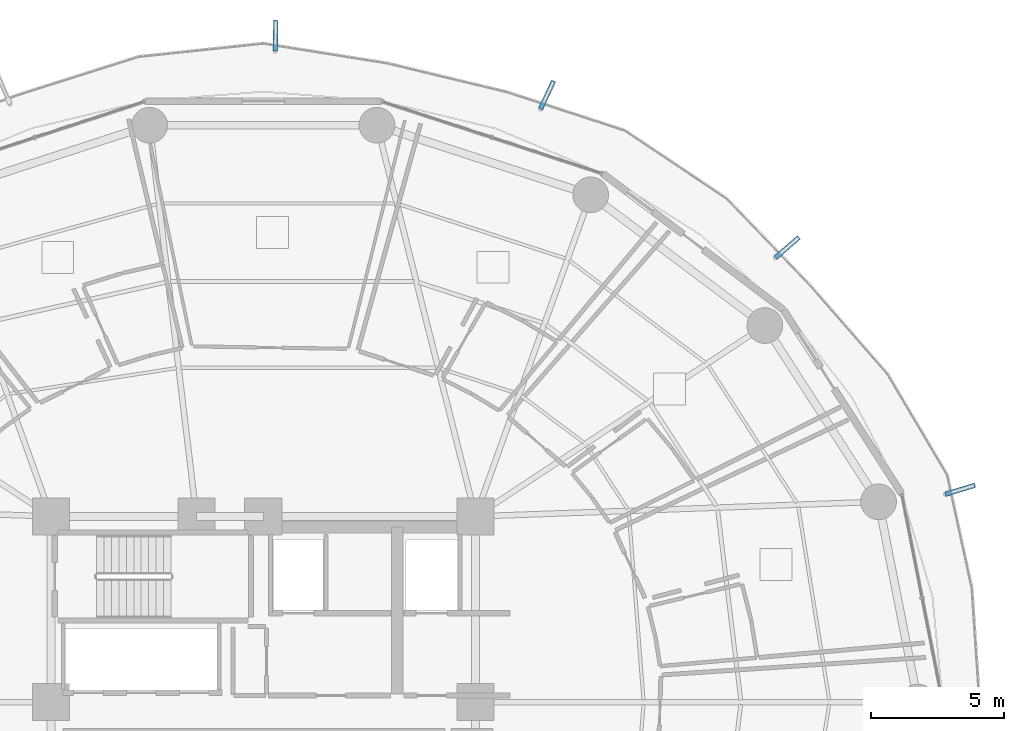
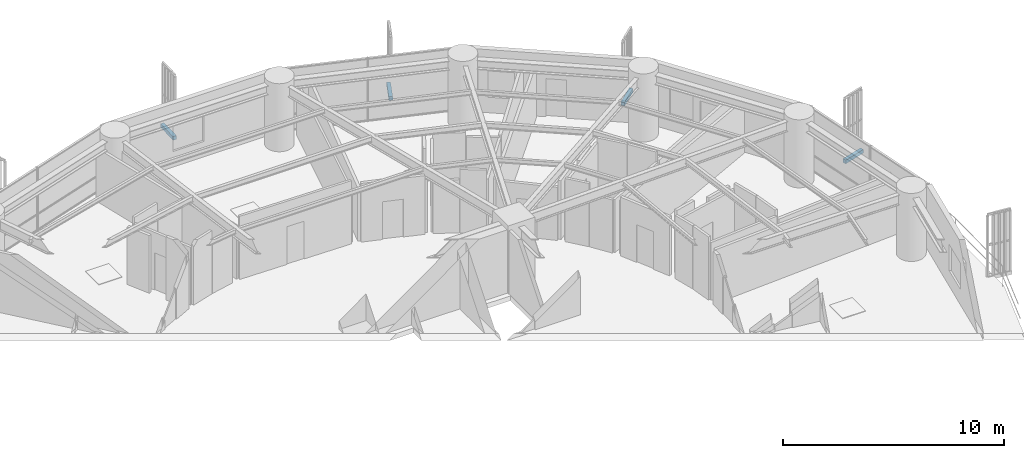
# One storey, part 32 of 36: 4 discrete accessories.
"""IFC4 building model written with IfcOpenShell, lengths in metres."""

from ifc_helpers import new_model, si_unit, direction, frame, origin, origin_2d, place, context, subcontext, project, spatial, rectangle, extrude, source, transform, mapped, material, type_object, element, save


model = new_model("IFC4")

# Units and contexts
model_context = context("Model", 3, precision=1e-05, world=origin(), true_north=direction((0.0, 1.0)))
body_context = subcontext(model_context, "Body", "Model", "MODEL_VIEW")
ifc_project = project(units=[si_unit("LENGTHUNIT", "METRE"), si_unit("AREAUNIT", "SQUARE_METRE"), si_unit("VOLUMEUNIT", "CUBIC_METRE"), si_unit("PLANEANGLEUNIT", "RADIAN"), si_unit("MASSUNIT", "GRAM", prefix="KILO")], contexts=[model_context])

# Site, building, storey
site_placement = place(None, origin())
site = spatial("IfcSite", under=ifc_project, at=site_placement, CompositionType="ELEMENT")
building_placement = place(site_placement, origin())
building = spatial("IfcBuilding", under=site, at=building_placement, Name="Kelanora Arch Commons", CompositionType="ELEMENT")
storey_placement = place(building_placement, frame((0.0, 0.0, 98.85009765625)))
storey = spatial("IfcBuildingStorey", under=building, at=storey_placement, Name="L25", CompositionType="ELEMENT", Elevation=98.85009765625)

# Discrete accessories
ifc_material = material(Name="Stainless steel 316 marine fin bracket", Category="steel")
discrete_accessory_type = type_object("IfcDiscreteAccessoryType", Name="ACC-FIN-BRK", PredefinedType="BRACKET", material=ifc_material)
shared_shape = source(origin(), body_context, "Body", "SweptSolid", [
    extrude(rectangle(XDim=1.1669921875, YDim=0.179931640625, at=origin_2d()), origin(), (0.0, 0.0, 1.0), 0.199951171875),
])
for number, where, z_axis, x_axis, name in (
    (1, (93.748046875, 75.134765625, -0.16015625), (0.0, 0.0, 1.0), (0.755281812285, 0.655400170912, 0.0), "Sweeping Fin Cantilever Spine Bracket L25-00"),
    (2, (84.697021484375, 80.88427734375, -0.16015625), (0.0, 0.0, 1.0), (0.423409003465, 0.90593863798, 0.0), "Sweeping Fin Cantilever Spine Bracket L25-01"),
    (3, (74.461669921875, 83.118896484375, -0.16015625), (0.0, 0.0, 1.0), (0.018324931396, 0.999832084347, 0.0), "Sweeping Fin Cantilever Spine Bracket L25-02"),
    (4, (100.269775390625, 66.0048828125, -0.16015625), (0.0, 0.0, 1.0), (0.956559534241, 0.29153706017, 0.0), "Sweeping Fin Cantilever Spine Bracket L25-14"),
):
    element("IfcDiscreteAccessory", number, at=place(storey_placement, frame(where, z_axis=z_axis, x_axis=x_axis)), inside=storey, type_object=discrete_accessory_type, Name=name, PredefinedType="BRACKET", context=body_context, shape_type="MappedRepresentation", body=[
        mapped(shared_shape, transform((0.0, 0.0, 0.0), scale=1.0)),
    ])

save(model, "model.ifc")
